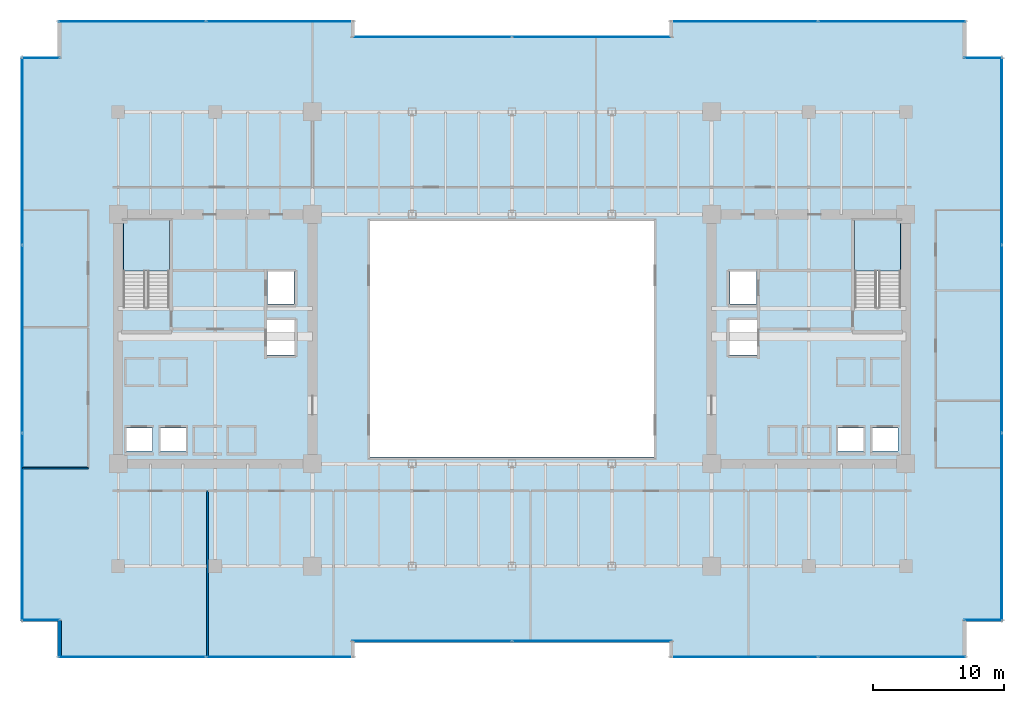
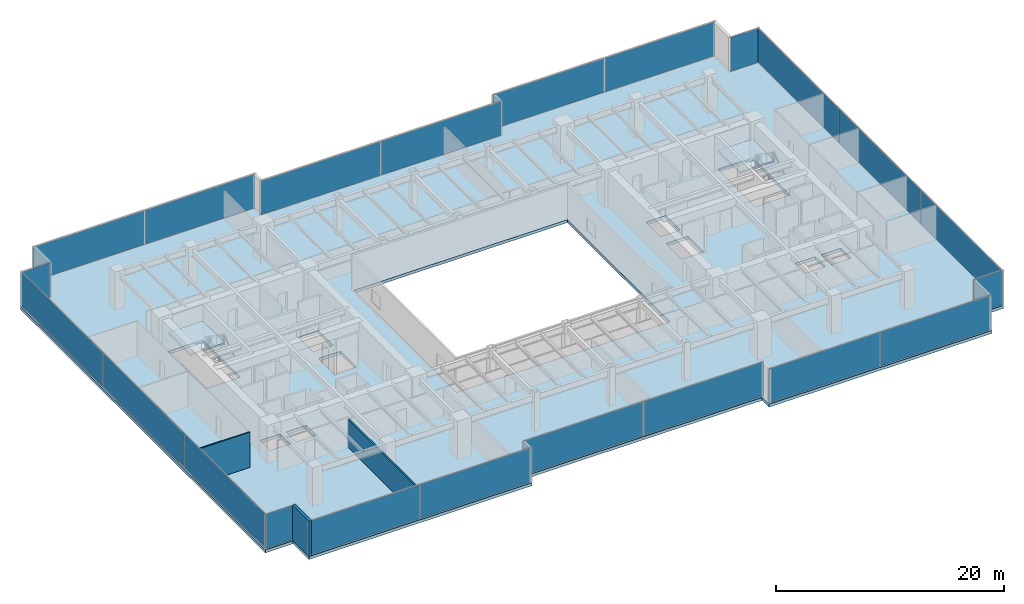
# One storey, part 28 of 35: 22 plates, 3 slabs, 3 walls, 14 elements without a shape of their own.
"""IFC4 building model written with IfcOpenShell, lengths in metres."""

from ifc_helpers import new_model, si_unit, direction, frame, frame_2d, origin, origin_2d, place, context, subcontext, project, spatial, polyline, rectangle, outline, extrude, source, transform, mapped, material, layer, layer_set, type_object, type_shapes, element, aggregate, save


model = new_model("IFC4")

# Units and contexts
model_context = context("Model", 3, precision=1e-05, world=origin(), true_north=direction((0.0, 1.0)))
body_context = subcontext(model_context, "Body", "Model", "MODEL_VIEW")
ifc_project = project(units=[si_unit("LENGTHUNIT", "METRE"), si_unit("AREAUNIT", "SQUARE_METRE"), si_unit("VOLUMEUNIT", "CUBIC_METRE"), si_unit("PLANEANGLEUNIT", "RADIAN"), si_unit("MASSUNIT", "GRAM", prefix="KILO")], contexts=[model_context])

# Site, building, storey
site_placement = place(None, origin())
site = spatial("IfcSite", under=ifc_project, at=site_placement, CompositionType="ELEMENT")
building_placement = place(site_placement, origin())
building = spatial("IfcBuilding", under=site, at=building_placement, Name="Haelvirn Gate Laboratories", CompositionType="ELEMENT")
storey_placement = place(building_placement, frame((0.0, 0.0, 41.60009765625)))
storey = spatial("IfcBuildingStorey", under=building, at=storey_placement, Name="L10", CompositionType="ELEMENT", Elevation=41.60009765625)

# Stair, slab
ifc_material_1 = material(Name="Concrete C40/50", Category="concrete")
stair_type = type_object("IfcStairType", Name="ST-DOG-1650-R22", PredefinedType="HALF_TURN_STAIR", material=ifc_material_1)
stair_1_placement = place(storey_placement, origin())
stair_1 = element("IfcStair", 1, at=stair_1_placement, inside=storey, type_object=stair_type, Name="L10 Escape Stair ST1", PredefinedType="HALF_TURN_STAIR")
ifc_layer_1 = layer(ifc_material_1, 0.199951171875, Name="SL-STAIR-LND")
ifc_layer_set_1 = layer_set([ifc_layer_1], Name="Concrete C40/50")
slab_type_1 = type_object("IfcSlabType", Name="SL-STAIR-LND", PredefinedType="LANDING", material=ifc_layer_set_1)
slab_1_placement = place(storey_placement, frame((0.0, 0.0, 1.849853515625)))
slab_1 = element("IfcSlab", 2, at=slab_1_placement, type_object=slab_type_1, Name="ST1 landing 1", PredefinedType="LANDING", context=body_context, shape_type="SweptSolid", body=[
    extrude(outline(polyline([(11.300048828125, 29.5), (11.300048828125, 33.35009765625), (7.800048828125, 33.35009765625), (7.800048828125, 29.5), (11.300048828125, 29.5)])), origin(), (0.0, 0.0, 1.0), 0.199951171875),
])
aggregate(stair_1, [slab_1])

stair_2_placement = place(storey_placement, origin())
stair_2 = element("IfcStair", 3, at=stair_2_placement, inside=storey, type_object=stair_type, Name="L10 Escape Stair ST2", PredefinedType="HALF_TURN_STAIR")
slab_2_placement = place(storey_placement, frame((0.0, 0.0, 1.849853515625)))
slab_2 = element("IfcSlab", 4, at=slab_2_placement, type_object=slab_type_1, Name="ST2 landing 1", PredefinedType="LANDING", context=body_context, shape_type="SweptSolid", body=[
    extrude(outline(polyline([(67.0, 29.5), (67.0, 33.35009765625), (63.5, 33.35009765625), (63.5, 29.5), (67.0, 29.5)])), origin(), (0.0, 0.0, 1.0), 0.199951171875),
])
aggregate(stair_2, [slab_2])

# Slab
ifc_material_2 = material(Name="Concrete C50/60", Category="concrete")
ifc_layer_2 = layer(ifc_material_2, 0.320068359375, Name="SL-Z1-320")
ifc_layer_set_2 = layer_set([ifc_layer_2], Name="Concrete C50/60")
slab_type_2 = type_object("IfcSlabType", Name="SL-Z1-320", PredefinedType="FLOOR", material=ifc_layer_set_2)
slab_3_placement = place(storey_placement, frame((0.0, 0.0, -0.320068359375)))
element("IfcSlab", 5, at=slab_3_placement, inside=storey, type_object=slab_type_2, Name="L10 Structural Slab MAIN", PredefinedType="FLOOR", context=body_context, shape_type="SweptSolid", body=[
    extrude(outline(polyline([(2.800048828125, 0.0), (25.39990234375, 0.0), (25.39990234375, 1.199951171875), (49.39990234375, 1.199951171875), (49.39990234375, 0.0), (72.0, 0.0), (72.0, 2.800048828125), (74.800048828125, 2.800048828125), (74.800048828125, 45.800048828125), (72.0, 45.800048828125), (72.0, 48.60009765625), (49.39990234375, 48.60009765625), (49.39990234375, 47.39990234375), (25.39990234375, 47.39990234375), (25.39990234375, 48.60009765625), (2.800048828125, 48.60009765625), (2.800048828125, 45.800048828125), (0.0, 45.800048828125), (0.0, 2.800048828125), (2.800048828125, 2.800048828125), (2.800048828125, 0.0)]), holes=[polyline([(26.60009765625, 15.300048828125), (48.199951171875, 15.300048828125), (48.199951171875, 33.300048828125), (26.60009765625, 33.300048828125), (26.60009765625, 15.300048828125)]), polyline([(11.300048828125, 26.780029296875), (11.300048828125, 33.35009765625), (7.800048828125, 33.35009765625), (7.800048828125, 26.780029296875), (11.300048828125, 26.780029296875)]), polyline([(67.0, 26.780029296875), (67.0, 33.35009765625), (63.5, 33.35009765625), (63.5, 26.780029296875), (67.0, 26.780029296875)]), polyline([(7.989990234375, 15.77001953125), (10.010009765625, 15.77001953125), (10.010009765625, 17.510009765625), (7.989990234375, 17.510009765625), (7.989990234375, 15.77001953125)]), polyline([(10.590087890625, 15.77001953125), (12.610107421875, 15.77001953125), (12.610107421875, 17.510009765625), (10.590087890625, 17.510009765625), (10.590087890625, 15.77001953125)]), polyline([(18.7900390625, 26.969970703125), (20.81005859375, 26.969970703125), (20.81005859375, 29.510009765625), (18.7900390625, 29.510009765625), (18.7900390625, 26.969970703125)]), polyline([(18.68994140625, 23.070068359375), (20.909912109375, 23.070068359375), (20.909912109375, 25.81005859375), (18.68994140625, 25.81005859375), (18.68994140625, 23.070068359375)]), polyline([(64.7900390625, 15.77001953125), (66.81005859375, 15.77001953125), (66.81005859375, 17.510009765625), (64.7900390625, 17.510009765625), (64.7900390625, 15.77001953125)]), polyline([(62.18994140625, 15.77001953125), (64.2099609375, 15.77001953125), (64.2099609375, 17.510009765625), (62.18994140625, 17.510009765625), (62.18994140625, 15.77001953125)]), polyline([(53.989990234375, 26.969970703125), (56.010009765625, 26.969970703125), (56.010009765625, 29.510009765625), (53.989990234375, 29.510009765625), (53.989990234375, 26.969970703125)]), polyline([(53.889892578125, 23.070068359375), (56.110107421875, 23.070068359375), (56.110107421875, 25.81005859375), (53.889892578125, 25.81005859375), (53.889892578125, 23.070068359375)])]), origin(), (0.0, 0.0, 1.0), 0.320068359375),
])

# Curtain wall, plates
ifc_material_3 = material(Name="Anodised bronze unitised aluminium & triple low-E glass", Category="aluminium")
ifc_layer_3 = layer(ifc_material_3, 0.18408203125, Name="CW-SYS-2")
ifc_layer_set_3 = layer_set([ifc_layer_3], Name="Anodised bronze unitised aluminium & triple low-E glass")
curtain_wall_type_1 = type_object("IfcCurtainWallType", Name="CW-SYS-2", PredefinedType="NOTDEFINED", material=ifc_layer_set_3)
curtain_wall_1_placement = place(storey_placement, origin())
curtain_wall_1 = element("IfcCurtainWall", 6, at=curtain_wall_1_placement, inside=storey, type_object=curtain_wall_type_1, Name="L10 Unitised Curtain Wall CW-L10-P0-E02-1", PredefinedType="NOTDEFINED")
ifc_material_4 = material(Name="Bronze solar-control triple low-E IGU 44 mm", Category="glass")
ifc_layer_4 = layer(ifc_material_4, 0.0439453125, Name="CWP-IGU-44")
ifc_layer_set_4 = layer_set([ifc_layer_4], Name="Bronze solar-control triple low-E IGU 44 mm")
plate_type_1 = type_object("IfcPlateType", Name="CWP-IGU-44", PredefinedType="CURTAIN_PANEL", material=ifc_layer_set_4)
shared_shape_1 = source(origin(), body_context, "Body", "SweptSolid", [
    extrude(rectangle(XDim=12.12744140625, YDim=0.0439453125, at=origin_2d()), origin(), (0.0, 0.0, 1.0), 3.639892578125),
])
plate_1_placement = place(storey_placement, frame((31.298828125, 1.300048828125, 0.06982421875), z_axis=(0.0, 0.0, 1.0), x_axis=(1.0, 0.0, 0.0)))
plate_1 = element("IfcPlate", 7, at=plate_1_placement, type_object=plate_type_1, Name="CW2 panel 1.1", PredefinedType="CURTAIN_PANEL", context=body_context, shape_type="MappedRepresentation", body=[
    mapped(shared_shape_1, transform((0.0, 0.0, 0.0), scale=1.0)),
])
plate_2_placement = place(storey_placement, frame((43.501220703125, 1.300048828125, 0.06982421875), z_axis=(0.0, 0.0, 1.0), x_axis=(1.0, 0.0, 0.0)))
plate_2 = element("IfcPlate", 8, at=plate_2_placement, type_object=plate_type_1, Name="CW2 panel 2.1", PredefinedType="CURTAIN_PANEL", context=body_context, shape_type="MappedRepresentation", body=[
    mapped(shared_shape_1, transform((0.0, 0.0, 0.0), scale=1.0)),
])
aggregate(curtain_wall_1, [plate_1, plate_2])

curtain_wall_2_placement = place(storey_placement, origin())
curtain_wall_2 = element("IfcCurtainWall", 9, at=curtain_wall_2_placement, inside=storey, type_object=curtain_wall_type_1, Name="L10 Unitised Curtain Wall CW-L10-P0-E12-1", PredefinedType="NOTDEFINED")
plate_3_placement = place(storey_placement, frame((31.298828125, 47.300048828125, 0.06982421875), z_axis=(0.0, 0.0, 1.0), x_axis=(1.0, 0.0, 0.0)))
plate_3 = element("IfcPlate", 10, at=plate_3_placement, type_object=plate_type_1, Name="CW2 panel 1.1", PredefinedType="CURTAIN_PANEL", context=body_context, shape_type="MappedRepresentation", body=[
    mapped(shared_shape_1, transform((0.0, 0.0, 0.0), scale=1.0)),
])
plate_4_placement = place(storey_placement, frame((43.501220703125, 47.300048828125, 0.06982421875), z_axis=(0.0, 0.0, 1.0), x_axis=(1.0, 0.0, 0.0)))
plate_4 = element("IfcPlate", 11, at=plate_4_placement, type_object=plate_type_1, Name="CW2 panel 2.1", PredefinedType="CURTAIN_PANEL", context=body_context, shape_type="MappedRepresentation", body=[
    mapped(shared_shape_1, transform((0.0, 0.0, 0.0), scale=1.0)),
])
aggregate(curtain_wall_2, [plate_3, plate_4])

curtain_wall_3_placement = place(storey_placement, origin())
curtain_wall_3 = element("IfcCurtainWall", 12, at=curtain_wall_3_placement, inside=storey, type_object=curtain_wall_type_1, Name="L10 Unitised Curtain Wall CW-L10-P0-E00-1", PredefinedType="NOTDEFINED")
shared_shape_2 = source(origin(), body_context, "Body", "SweptSolid", [
    extrude(rectangle(XDim=11.1875, YDim=0.0439453125, at=origin_2d()), origin(), (0.0, 0.0, 1.0), 3.639892578125),
])
plate_5_placement = place(storey_placement, frame((8.46875, 0.10009765625, 0.06982421875), z_axis=(0.0, 0.0, 1.0), x_axis=(1.0, 0.0, 0.0)))
plate_5 = element("IfcPlate", 13, at=plate_5_placement, type_object=plate_type_1, Name="CW2 panel 1.1", PredefinedType="CURTAIN_PANEL", context=body_context, shape_type="MappedRepresentation", body=[
    mapped(shared_shape_2, transform((0.0, 0.0, 0.0), scale=1.0)),
])
plate_6_placement = place(storey_placement, frame((19.731201171875, 0.10009765625, 0.06982421875), z_axis=(0.0, 0.0, 1.0), x_axis=(1.0, 0.0, 0.0)))
plate_6 = element("IfcPlate", 14, at=plate_6_placement, type_object=plate_type_1, Name="CW2 panel 2.1", PredefinedType="CURTAIN_PANEL", context=body_context, shape_type="MappedRepresentation", body=[
    mapped(shared_shape_2, transform((0.0, 0.0, 0.0), scale=1.0)),
])
aggregate(curtain_wall_3, [plate_5, plate_6])

curtain_wall_4_placement = place(storey_placement, origin())
curtain_wall_4 = element("IfcCurtainWall", 15, at=curtain_wall_4_placement, inside=storey, type_object=curtain_wall_type_1, Name="L10 Unitised Curtain Wall CW-L10-P0-E04-1", PredefinedType="NOTDEFINED")
plate_7_placement = place(storey_placement, frame((55.06884765625, 0.10009765625, 0.06982421875), z_axis=(0.0, 0.0, 1.0), x_axis=(1.0, 0.0, 0.0)))
plate_7 = element("IfcPlate", 16, at=plate_7_placement, type_object=plate_type_1, Name="CW2 panel 1.1", PredefinedType="CURTAIN_PANEL", context=body_context, shape_type="MappedRepresentation", body=[
    mapped(shared_shape_2, transform((0.0, 0.0, 0.0), scale=1.0)),
])
plate_8_placement = place(storey_placement, frame((66.331298828125, 0.10009765625, 0.06982421875), z_axis=(0.0, 0.0, 1.0), x_axis=(1.0, 0.0, 0.0)))
plate_8 = element("IfcPlate", 17, at=plate_8_placement, type_object=plate_type_1, Name="CW2 panel 2.1", PredefinedType="CURTAIN_PANEL", context=body_context, shape_type="MappedRepresentation", body=[
    mapped(shared_shape_2, transform((0.0, 0.0, 0.0), scale=1.0)),
])
aggregate(curtain_wall_4, [plate_7, plate_8])

curtain_wall_5_placement = place(storey_placement, origin())
curtain_wall_5 = element("IfcCurtainWall", 18, at=curtain_wall_5_placement, inside=storey, type_object=curtain_wall_type_1, Name="L10 Unitised Curtain Wall CW-L10-P0-E10-1", PredefinedType="NOTDEFINED")
plate_9_placement = place(storey_placement, frame((55.06884765625, 48.5, 0.06982421875), z_axis=(0.0, 0.0, 1.0), x_axis=(1.0, 0.0, 0.0)))
plate_9 = element("IfcPlate", 19, at=plate_9_placement, type_object=plate_type_1, Name="CW2 panel 1.1", PredefinedType="CURTAIN_PANEL", context=body_context, shape_type="MappedRepresentation", body=[
    mapped(shared_shape_2, transform((0.0, 0.0, 0.0), scale=1.0)),
])
plate_10_placement = place(storey_placement, frame((66.331298828125, 48.5, 0.06982421875), z_axis=(0.0, 0.0, 1.0), x_axis=(1.0, 0.0, 0.0)))
plate_10 = element("IfcPlate", 20, at=plate_10_placement, type_object=plate_type_1, Name="CW2 panel 2.1", PredefinedType="CURTAIN_PANEL", context=body_context, shape_type="MappedRepresentation", body=[
    mapped(shared_shape_2, transform((0.0, 0.0, 0.0), scale=1.0)),
])
aggregate(curtain_wall_5, [plate_9, plate_10])

curtain_wall_6_placement = place(storey_placement, origin())
curtain_wall_6 = element("IfcCurtainWall", 21, at=curtain_wall_6_placement, inside=storey, type_object=curtain_wall_type_1, Name="L10 Unitised Curtain Wall CW-L10-P0-E14-1", PredefinedType="NOTDEFINED")
plate_11_placement = place(storey_placement, frame((8.46875, 48.5, 0.06982421875), z_axis=(0.0, 0.0, 1.0), x_axis=(1.0, 0.0, 0.0)))
plate_11 = element("IfcPlate", 22, at=plate_11_placement, type_object=plate_type_1, Name="CW2 panel 1.1", PredefinedType="CURTAIN_PANEL", context=body_context, shape_type="MappedRepresentation", body=[
    mapped(shared_shape_2, transform((0.0, 0.0, 0.0), scale=1.0)),
])
plate_12_placement = place(storey_placement, frame((19.731201171875, 48.5, 0.06982421875), z_axis=(0.0, 0.0, 1.0), x_axis=(1.0, 0.0, 0.0)))
plate_12 = element("IfcPlate", 23, at=plate_12_placement, type_object=plate_type_1, Name="CW2 panel 2.1", PredefinedType="CURTAIN_PANEL", context=body_context, shape_type="MappedRepresentation", body=[
    mapped(shared_shape_2, transform((0.0, 0.0, 0.0), scale=1.0)),
])
aggregate(curtain_wall_6, [plate_11, plate_12])

# Curtain wall, plate
ifc_layer_5 = layer(ifc_material_3, 0.181884765625, Name="CW-SYS-5")
ifc_layer_set_5 = layer_set([ifc_layer_5], Name="Anodised bronze unitised aluminium & triple low-E glass")
curtain_wall_type_2 = type_object("IfcCurtainWallType", Name="CW-SYS-5", PredefinedType="NOTDEFINED", material=ifc_layer_set_5)
curtain_wall_7_placement = place(storey_placement, origin())
curtain_wall_7 = element("IfcCurtainWall", 24, at=curtain_wall_7_placement, inside=storey, type_object=curtain_wall_type_2, Name="L10 Unitised Curtain Wall CW-L10-P0-E06-1", PredefinedType="NOTDEFINED")
ifc_material_5 = material(Name="Clear low-iron notched-corner triple IGU 42 mm", Category="glass")
ifc_layer_6 = layer(ifc_material_5, 0.0419921875, Name="CWP-NTC-42")
ifc_layer_set_6 = layer_set([ifc_layer_6], Name="Clear low-iron notched-corner triple IGU 42 mm")
plate_type_2 = type_object("IfcPlateType", Name="CWP-NTC-42", PredefinedType="CURTAIN_PANEL", material=ifc_layer_set_6)
shared_shape_3 = source(origin(), body_context, "Body", "SweptSolid", [
    extrude(rectangle(XDim=2.8798828125, YDim=0.0419921875, at=origin_2d()), origin(), (0.0, 0.0, 1.0), 3.64990234375),
])
type_shapes(plate_type_2, [shared_shape_3])
plate_13_placement = place(storey_placement, frame((73.280029296875, 2.89990234375, 0.06494140625), z_axis=(0.0, 0.0, 1.0), x_axis=(1.0, 0.0, 0.0)))
plate_13 = element("IfcPlate", 25, at=plate_13_placement, type_object=plate_type_2, Name="CW5 panel 1.1", PredefinedType="CURTAIN_PANEL", context=body_context, shape_type="MappedRepresentation", body=[
    mapped(shared_shape_3, transform((0.0, 0.0, 0.0), scale=1.0)),
])
aggregate(curtain_wall_7, [plate_13])

curtain_wall_8_placement = place(storey_placement, origin())
curtain_wall_8 = element("IfcCurtainWall", 26, at=curtain_wall_8_placement, inside=storey, type_object=curtain_wall_type_2, Name="L10 Unitised Curtain Wall CW-L10-P0-E08-1", PredefinedType="NOTDEFINED")
plate_14_placement = place(storey_placement, frame((73.280029296875, 45.699951171875, 0.06494140625), z_axis=(0.0, 0.0, 1.0), x_axis=(1.0, 0.0, 0.0)))
plate_14 = element("IfcPlate", 27, at=plate_14_placement, type_object=plate_type_2, Name="CW5 panel 1.1", PredefinedType="CURTAIN_PANEL", context=body_context, shape_type="MappedRepresentation", body=[
    mapped(shared_shape_3, transform((0.0, 0.0, 0.0), scale=1.0)),
])
aggregate(curtain_wall_8, [plate_14])

curtain_wall_9_placement = place(storey_placement, origin())
curtain_wall_9 = element("IfcCurtainWall", 28, at=curtain_wall_9_placement, inside=storey, type_object=curtain_wall_type_2, Name="L10 Unitised Curtain Wall CW-L10-P0-E16-1", PredefinedType="NOTDEFINED")
plate_15_placement = place(storey_placement, frame((1.52001953125, 45.699951171875, 0.06494140625), z_axis=(0.0, 0.0, 1.0), x_axis=(1.0, 0.0, 0.0)))
plate_15 = element("IfcPlate", 29, at=plate_15_placement, type_object=plate_type_2, Name="CW5 panel 1.1", PredefinedType="CURTAIN_PANEL", context=body_context, shape_type="MappedRepresentation", body=[
    mapped(shared_shape_3, transform((0.0, 0.0, 0.0), scale=1.0)),
])
aggregate(curtain_wall_9, [plate_15])

curtain_wall_10_placement = place(storey_placement, origin())
curtain_wall_10 = element("IfcCurtainWall", 30, at=curtain_wall_10_placement, inside=storey, type_object=curtain_wall_type_2, Name="L10 Unitised Curtain Wall CW-L10-P0-E18-1", PredefinedType="NOTDEFINED")
plate_16_placement = place(storey_placement, frame((1.52001953125, 2.89990234375, 0.06494140625), z_axis=(0.0, 0.0, 1.0), x_axis=(1.0, 0.0, 0.0)))
plate_16 = element("IfcPlate", 31, at=plate_16_placement, type_object=plate_type_2, Name="CW5 panel 1.1", PredefinedType="CURTAIN_PANEL", context=body_context, shape_type="MappedRepresentation", body=[
    mapped(shared_shape_3, transform((0.0, 0.0, 0.0), scale=1.0)),
])
aggregate(curtain_wall_10, [plate_16])

# Curtain wall, plates
curtain_wall_11_placement = place(storey_placement, origin())
curtain_wall_11 = element("IfcCurtainWall", 32, at=curtain_wall_11_placement, inside=storey, type_object=curtain_wall_type_1, Name="L10 Unitised Curtain Wall CW-L10-P0-E07", PredefinedType="NOTDEFINED")
shared_shape_4 = source(origin(), body_context, "Body", "SweptSolid", [
    extrude(rectangle(XDim=14.220947265625, YDim=0.0439453125, at=origin_2d()), origin(), (0.0, 0.0, 1.0), 3.639892578125),
])
plate_17_placement = place(storey_placement, frame((74.699951171875, 9.9853515625, 0.06982421875), z_axis=(0.0, 0.0, 1.0), x_axis=(0.0, 1.0, 0.0)))
plate_17 = element("IfcPlate", 33, at=plate_17_placement, type_object=plate_type_1, Name="CW2 panel 1.1", PredefinedType="CURTAIN_PANEL", context=body_context, shape_type="MappedRepresentation", body=[
    mapped(shared_shape_4, transform((0.0, 0.0, 0.0), scale=1.0)),
])
plate_18_placement = place(storey_placement, frame((74.699951171875, 38.614501953125, 0.06982421875), z_axis=(0.0, 0.0, 1.0), x_axis=(0.0, 1.0, 0.0)))
plate_18 = element("IfcPlate", 34, at=plate_18_placement, type_object=plate_type_1, Name="CW2 panel 3.1", PredefinedType="CURTAIN_PANEL", context=body_context, shape_type="MappedRepresentation", body=[
    mapped(shared_shape_4, transform((0.0, 0.0, 0.0), scale=1.0)),
])

curtain_wall_12_placement = place(storey_placement, origin())
curtain_wall_12 = element("IfcCurtainWall", 35, at=curtain_wall_12_placement, inside=storey, type_object=curtain_wall_type_1, Name="L10 Unitised Curtain Wall CW-L10-P0-E17", PredefinedType="NOTDEFINED")
plate_19_placement = place(storey_placement, frame((0.10009765625, 38.614501953125, 0.06982421875), z_axis=(0.0, 0.0, 1.0), x_axis=(0.0, -1.0, 0.0)))
plate_19 = element("IfcPlate", 36, at=plate_19_placement, type_object=plate_type_1, Name="CW2 panel 1.1", PredefinedType="CURTAIN_PANEL", context=body_context, shape_type="MappedRepresentation", body=[
    mapped(shared_shape_4, transform((0.0, 0.0, 0.0), scale=1.0)),
])
plate_20_placement = place(storey_placement, frame((0.10009765625, 9.9853515625, 0.06982421875), z_axis=(0.0, 0.0, 1.0), x_axis=(0.0, -1.0, 0.0)))
plate_20 = element("IfcPlate", 37, at=plate_20_placement, type_object=plate_type_1, Name="CW2 panel 3.1", PredefinedType="CURTAIN_PANEL", context=body_context, shape_type="MappedRepresentation", body=[
    mapped(shared_shape_4, transform((0.0, 0.0, 0.0), scale=1.0)),
])

# Plate
shared_shape_5 = source(origin(), body_context, "Body", "SweptSolid", [
    extrude(rectangle(XDim=14.25830078125, YDim=0.0439453125, at=origin_2d()), origin(), (0.0, 0.0, 1.0), 3.639892578125),
])
type_shapes(plate_type_1, [shared_shape_1, shared_shape_2, shared_shape_4, shared_shape_5])
plate_21_placement = place(storey_placement, frame((74.699951171875, 24.300048828125, 0.06982421875), z_axis=(0.0, 0.0, 1.0), x_axis=(0.0, 1.0, 0.0)))
plate_21 = element("IfcPlate", 38, at=plate_21_placement, type_object=plate_type_1, Name="CW2 panel 2.1", PredefinedType="CURTAIN_PANEL", context=body_context, shape_type="MappedRepresentation", body=[
    mapped(shared_shape_5, transform((0.0, 0.0, 0.0), scale=1.0)),
])

aggregate(curtain_wall_11, [plate_17, plate_21, plate_18])

plate_22_placement = place(storey_placement, frame((0.10009765625, 24.300048828125, 0.06982421875), z_axis=(0.0, 0.0, 1.0), x_axis=(0.0, -1.0, 0.0)))
plate_22 = element("IfcPlate", 39, at=plate_22_placement, type_object=plate_type_1, Name="CW2 panel 2.1", PredefinedType="CURTAIN_PANEL", context=body_context, shape_type="MappedRepresentation", body=[
    mapped(shared_shape_5, transform((0.0, 0.0, 0.0), scale=1.0)),
])

aggregate(curtain_wall_12, [plate_19, plate_22, plate_20])

# Walls
ifc_material_6 = material(Name="Thermally-broken bronze aluminium rainscreen & mineral wool", Category="aluminium")
ifc_layer_7 = layer(ifc_material_6, 0.280029296875, Name="EW-TERR-280")
ifc_layer_set_7 = layer_set([ifc_layer_7], Name="Thermally-broken bronze aluminium rainscreen & mineral wool")
wall_type_1 = type_object("IfcWallType", Name="EW-TERR-280", PredefinedType="STANDARD", material=ifc_layer_set_7)
wall_1_placement = place(storey_placement, frame((2.93994140625, 2.887939453125, 0.0), z_axis=(0.0, 0.0, 1.0), x_axis=(0.0, -1.0, 0.0)))
element("IfcWall", 40, at=wall_1_placement, inside=storey, type_object=wall_type_1, Name="L10 Atrium Recess Bronze Return Wall 19", PredefinedType="STANDARD", context=body_context, shape_type="SweptSolid", body=[
    extrude(rectangle(XDim=2.887939453125, YDim=0.280029296875, at=frame_2d((1.44384765625, 0.0))), origin(), (0.0, 0.0, 1.0), 3.77978515625),
])
ifc_material_7 = material(Name="Double-layer acoustic gypsum laboratory partition", Category="gypsum")
ifc_layer_8 = layer(ifc_material_7, 0.159912109375, Name="IW-ACOUST-160")
ifc_layer_set_8 = layer_set([ifc_layer_8], Name="Double-layer acoustic gypsum laboratory partition")
wall_type_2 = type_object("IfcWallType", Name="IW-ACOUST-160", PredefinedType="PARTITIONING", material=ifc_layer_set_8)
wall_2_placement = place(storey_placement, frame((14.199951171875, 0.110107421875, 0.0), z_axis=(0.0, 0.0, 1.0), x_axis=(0.0, 1.0, 0.0)))
element("IfcWall", 41, at=wall_2_placement, inside=storey, type_object=wall_type_2, Name="L10 Interior Wall IW-L10-SDIV-01", PredefinedType="PARTITIONING", context=body_context, shape_type="SweptSolid", body=[
    extrude(rectangle(XDim=12.6298828125, YDim=0.159912109375, at=frame_2d((6.31494140625, 0.0))), origin(), (0.0, 0.0, 1.0), 3.014892578125),
])
ifc_material_8 = material(Name="Lightweight acoustic gypsum board partition", Category="gypsum")
ifc_layer_9 = layer(ifc_material_8, 0.1201171875, Name="IW-PART-120")
ifc_layer_set_9 = layer_set([ifc_layer_9], Name="Lightweight acoustic gypsum board partition")
wall_type_3 = type_object("IfcWallType", Name="IW-PART-120", PredefinedType="PARTITIONING", material=ifc_layer_set_9)
wall_3_placement = place(storey_placement, frame((0.110107421875, 14.465087890625, 0.0), z_axis=(0.0, 0.0, 1.0), x_axis=(1.0, 0.0, 0.0)))
element("IfcWall", 42, at=wall_3_placement, inside=storey, type_object=wall_type_3, Name="L10 Interior Wall IW-L10-WCAP-S", PredefinedType="PARTITIONING", context=body_context, shape_type="SweptSolid", body=[
    extrude(rectangle(XDim=5.019775390625, YDim=0.1201171875, at=frame_2d((2.509765625, 0.0))), origin(), (0.0, 0.0, 1.0), 3.77978515625),
])

save(model, "model.ifc")
